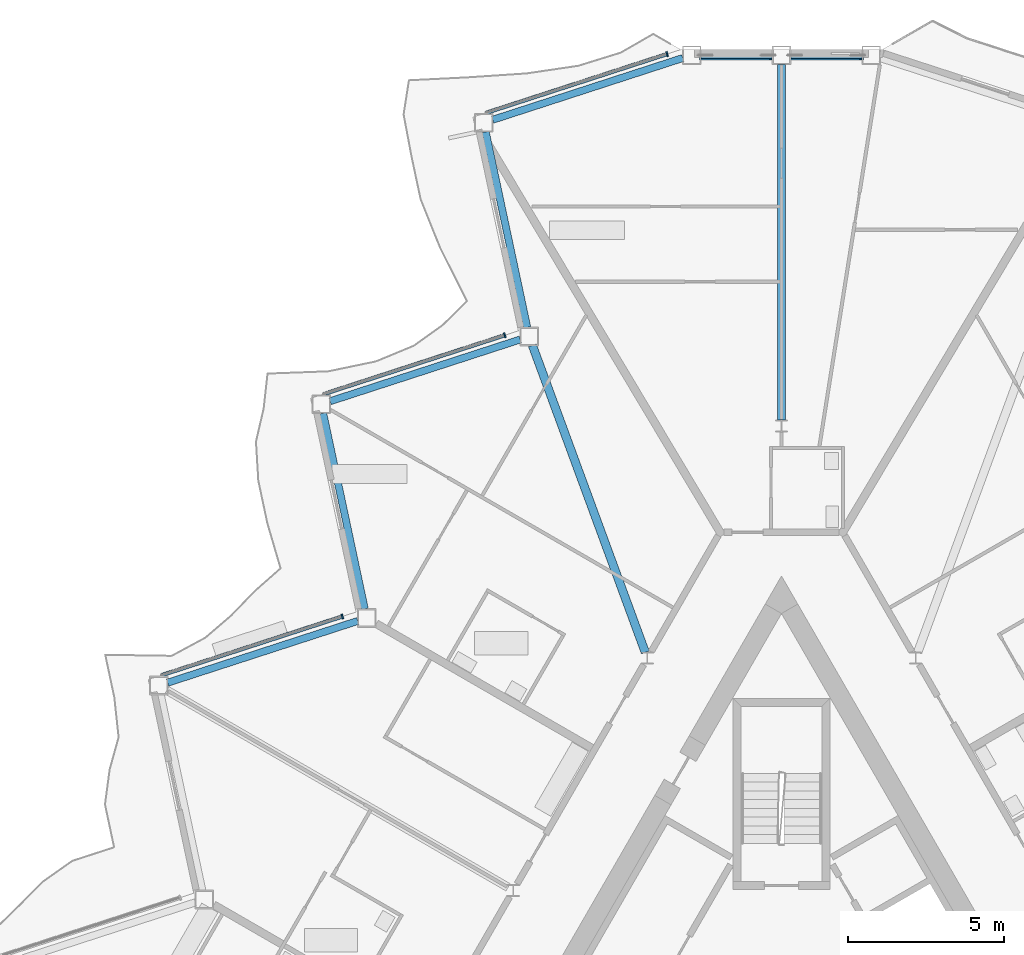
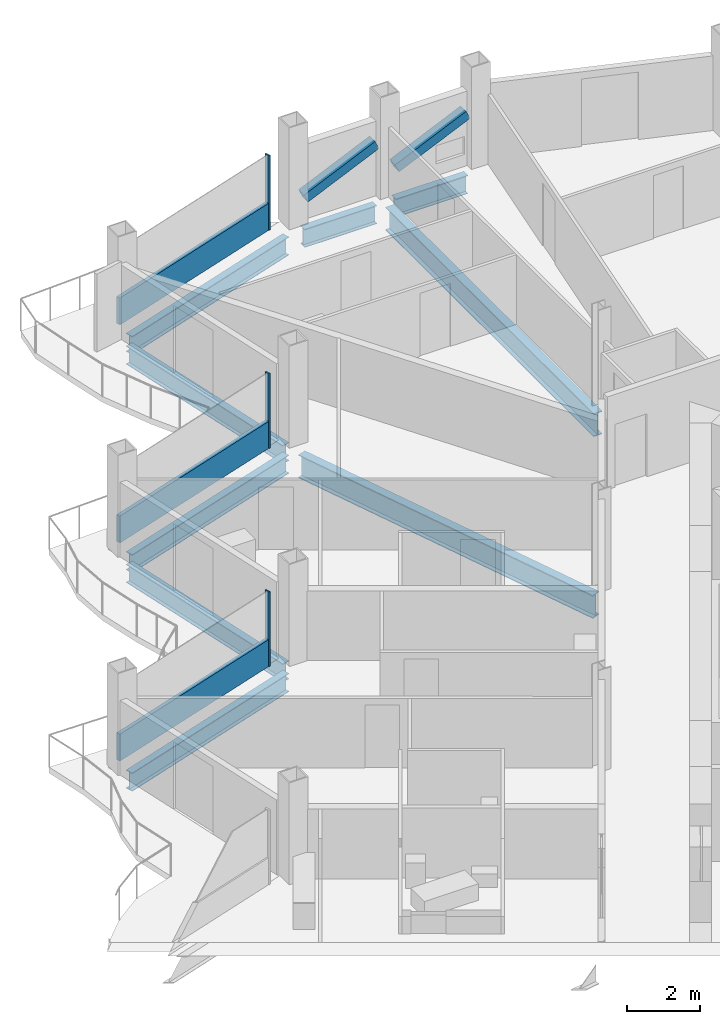
# One storey, part 10 of 26: 9 beams, 8 members, 3 elements without a shape of their own.
"""IFC4 building model written with IfcOpenShell, lengths in metres."""

from ifc_helpers import new_model, si_unit, direction, frame, origin, origin_2d, place, context, subcontext, project, spatial, rectangle, hollow_rectangle, i_section, extrude, material, layer, layer_set, material_profile, profile_set, type_object, element, aggregate, save


model = new_model("IFC4")

# Units and contexts
model_context = context("Model", 3, precision=1e-05, world=origin(), true_north=direction((0.0, 1.0)))
body_context = subcontext(model_context, "Body", "Model", "MODEL_VIEW")
ifc_project = project(units=[si_unit("LENGTHUNIT", "METRE"), si_unit("AREAUNIT", "SQUARE_METRE"), si_unit("VOLUMEUNIT", "CUBIC_METRE"), si_unit("PLANEANGLEUNIT", "RADIAN"), si_unit("MASSUNIT", "GRAM", prefix="KILO")], contexts=[model_context])

# Site, building, storey
site_placement = place(None, origin())
site = spatial("IfcSite", under=ifc_project, at=site_placement, CompositionType="ELEMENT")
building_placement = place(site_placement, origin())
building = spatial("IfcBuilding", under=site, at=building_placement, Name="Cormorant Prow Tower", CompositionType="ELEMENT")
storey_placement = place(building_placement, frame((0.0, 0.0, 329.0)))
storey = spatial("IfcBuildingStorey", under=building, at=storey_placement, Name="L73", CompositionType="ELEMENT", Elevation=329.0)

# Members
ifc_material_1 = material(Name="Structural steel ASTM A500 Gr C", Category="steel")
ifc_material_profile_1 = material_profile(ifc_material_1, hollow_rectangle(XDim=0.3046875, YDim=0.3046875, WallThickness=0.01171875, at=origin_2d()), Name="HSS12x12x1/2")
ifc_profile_set_1 = profile_set([ifc_material_profile_1], Name="Structural steel ASTM A500 Gr C")
member_type_1 = type_object("IfcMemberType", Name="Chamfer brace HSS12x12x1/2", PredefinedType="BRACE", material=ifc_profile_set_1)
for number, where, z_axis, x_axis, name in (
    (1, (0.31494140625, 31.676025390625, 0.7412109375), (0.91256681832, 0.0, 0.408927624528), (0.0, 1.0, 0.0), "Chamfer brace BR3 at N00 L73"),
    (2, (-2.55908203125, 31.676025390625, 0.7412109375), (0.91256681832, 0.0, 0.408927624528), (0.0, 1.0, 0.0), "Chamfer brace BR3 at N01 L73"),
):
    element("IfcMember", number, at=place(storey_placement, frame(where, z_axis=z_axis, x_axis=x_axis)), inside=storey, type_object=member_type_1, Name=name, PredefinedType="BRACE", context=body_context, shape_type="SweptSolid", body=[
        extrude(hollow_rectangle(XDim=0.3046875, YDim=0.3046875, WallThickness=0.01171875, at=origin_2d()), origin(), (0.0, 0.0, 1.0), 2.459228515625),
    ])

# Beams
ifc_material_2 = material(Name="Structural steel ASTM A992 Gr 50", Category="steel")
ifc_material_profile_2 = material_profile(ifc_material_2, i_section(OverallWidth=0.267822265625, OverallDepth=0.77001953125, WebThickness=0.015625, FlangeThickness=0.025390625, at=origin_2d()), Name="W30x132")
ifc_profile_set_2 = profile_set([ifc_material_profile_2], Name="Structural steel ASTM A992 Gr 50")
beam_type_1 = type_object("IfcBeamType", Name="Radial floor beam W30x132", PredefinedType="BEAM", material=ifc_profile_set_2)
beam_1_placement = place(storey_placement, frame((0.0, 20.0087890625, -0.68505859375), z_axis=(0.0, 1.0, 0.0), x_axis=(-1.0, 0.0, 0.0)))
element("IfcBeam", 3, at=beam_1_placement, inside=storey, type_object=beam_type_1, Name="Radial floor beam FB3 1 L73", PredefinedType="BEAM", context=body_context, shape_type="SweptSolid", body=[
    extrude(i_section(OverallWidth=0.267822265625, OverallDepth=0.77001953125, WebThickness=0.015625, FlangeThickness=0.025390625, at=origin_2d()), origin(), (0.0, 0.0, 1.0), 11.3671875),
])
beam_2_placement = place(storey_placement, frame((-4.357421875, 12.5673828125, -0.68505859375), z_axis=(-0.345131226703, 0.938554439739, 0.0), x_axis=(-0.938554439739, -0.345131226703, 0.0)))
element("IfcBeam", 4, at=beam_2_placement, inside=storey, type_object=beam_type_1, Name="Radial floor beam FB3 2 L73", PredefinedType="BEAM", context=body_context, shape_type="SweptSolid", body=[
    extrude(i_section(OverallWidth=0.267822265625, OverallDepth=0.77001953125, WebThickness=0.015625, FlangeThickness=0.025390625, at=origin_2d()), origin(), (0.0, 0.0, 1.0), 10.465087890625),
])

# Curtain wall, member
ifc_material_3 = material(Name="Aluminium 6063-T6", Category="aluminium")
ifc_layer = layer(ifc_material_3, 0.159912109375)
ifc_layer_set = layer_set([ifc_layer], Name="Aluminium 6063-T6")
curtain_wall_type = type_object("IfcCurtainWallType", Name="Residential unitised curtain wall 160", PredefinedType="NOTDEFINED", material=ifc_layer_set)
curtain_wall_1_placement = place(storey_placement, origin())
curtain_wall_1 = element("IfcCurtainWall", 5, at=curtain_wall_1_placement, inside=storey, type_object=curtain_wall_type, Name="Residential curtain wall WNW00", PredefinedType="NOTDEFINED")
ifc_material_4 = material(Name="Aluminium 6063-T6", Category="aluminium")
ifc_material_profile_3 = material_profile(ifc_material_4, rectangle(XDim=0.159912109375, YDim=0.050048828125, at=origin_2d()), Name="Residential mullion 50x160")
ifc_profile_set_3 = profile_set([ifc_material_profile_3], Name="Aluminium 6063-T6")
member_type_2 = type_object("IfcMemberType", Name="Residential mullion 50x160", PredefinedType="MULLION", material=ifc_profile_set_3)
member_1_placement = place(storey_placement, frame((-3.66015625, 31.7109375, 0.0), z_axis=(0.0, 0.0, 1.0), x_axis=(0.309016892523, -0.951056549389, 0.0)))
member_1 = element("IfcMember", 6, at=member_1_placement, type_object=member_type_2, Name="Residential mullion WNW00", PredefinedType="MULLION", context=body_context, shape_type="SweptSolid", body=[
    extrude(rectangle(XDim=0.159912109375, YDim=0.050048828125, at=origin_2d()), origin(), (0.0, 0.0, 1.0), 2.48779296875),
])

curtain_wall_2_placement = place(storey_placement, origin())
curtain_wall_2 = element("IfcCurtainWall", 7, at=curtain_wall_2_placement, inside=storey, type_object=curtain_wall_type, Name="Residential curtain wall WNW02", PredefinedType="NOTDEFINED")
member_2_placement = place(storey_placement, frame((-8.854736328125, 22.71337890625, 0.0), z_axis=(0.0, 0.0, 1.0), x_axis=(0.309016892523, -0.951056549389, 0.0)))
member_2 = element("IfcMember", 8, at=member_2_placement, type_object=member_type_2, Name="Residential mullion WNW02", PredefinedType="MULLION", context=body_context, shape_type="SweptSolid", body=[
    extrude(rectangle(XDim=0.159912109375, YDim=0.050048828125, at=origin_2d()), origin(), (0.0, 0.0, 1.0), 2.48779296875),
])

curtain_wall_3_placement = place(storey_placement, origin())
curtain_wall_3 = element("IfcCurtainWall", 9, at=curtain_wall_3_placement, inside=storey, type_object=curtain_wall_type, Name="Residential curtain wall WNW04", PredefinedType="NOTDEFINED")
member_3_placement = place(storey_placement, frame((-14.049560546875, 13.716064453125, 0.0), z_axis=(0.0, 0.0, 1.0), x_axis=(0.309017021913, -0.951056507348, 0.0)))
member_3 = element("IfcMember", 10, at=member_3_placement, type_object=member_type_2, Name="Residential mullion WNW04", PredefinedType="MULLION", context=body_context, shape_type="SweptSolid", body=[
    extrude(rectangle(XDim=0.159912109375, YDim=0.050048828125, at=origin_2d()), origin(), (0.0, 0.0, 1.0), 2.48779296875),
])

# Member
ifc_material_5 = material(Name="Terracotta", Category="masonry")
ifc_material_profile_4 = material_profile(ifc_material_5, rectangle(XDim=0.1201171875, YDim=0.89990234375, at=origin_2d()), Name="Residential terracotta spandrel rail 120x900")
ifc_profile_set_4 = profile_set([ifc_material_profile_4], Name="Terracotta")
member_type_3 = type_object("IfcMemberType", Name="Residential terracotta spandrel rail 120x900", PredefinedType="USERDEFINED", material=ifc_profile_set_4)
member_4_placement = place(storey_placement, frame((-3.683837890625, 31.703125, 0.449951171875), z_axis=(-0.951068041312, -0.30898152177, 0.0), x_axis=(0.30898152177, -0.951068041312, 0.0)))
member_4 = element("IfcMember", 11, at=member_4_placement, type_object=member_type_3, Name="Residential spandrel rail WNW00", ObjectType="TRANSOM", PredefinedType="USERDEFINED", context=body_context, shape_type="SweptSolid", body=[
    extrude(rectangle(XDim=0.1201171875, YDim=0.89990234375, at=origin_2d()), origin(), (0.0, 0.0, 1.0), 6.072265625),
])

aggregate(curtain_wall_1, [member_1, member_4])

member_5_placement = place(storey_placement, frame((-8.878662109375, 22.705810546875, 0.449951171875), z_axis=(-0.951052386284, -0.309029704954, 0.0), x_axis=(0.309029704954, -0.951052386284, 0.0)))
member_5 = element("IfcMember", 12, at=member_5_placement, type_object=member_type_3, Name="Residential spandrel rail WNW02", ObjectType="TRANSOM", PredefinedType="USERDEFINED", context=body_context, shape_type="SweptSolid", body=[
    extrude(rectangle(XDim=0.1201171875, YDim=0.89990234375, at=origin_2d()), origin(), (0.0, 0.0, 1.0), 6.072021484375),
])

aggregate(curtain_wall_2, [member_2, member_5])

member_6_placement = place(storey_placement, frame((-14.0732421875, 13.708251953125, 0.449951171875), z_axis=(-0.95105622579, -0.309017888456, 0.0), x_axis=(0.309017888456, -0.95105622579, 0.0)))
member_6 = element("IfcMember", 13, at=member_6_placement, type_object=member_type_3, Name="Residential spandrel rail WNW04", ObjectType="TRANSOM", PredefinedType="USERDEFINED", context=body_context, shape_type="SweptSolid", body=[
    extrude(rectangle(XDim=0.1201171875, YDim=0.89990234375, at=origin_2d()), origin(), (0.0, 0.0, 1.0), 6.072265625),
])

aggregate(curtain_wall_3, [member_3, member_6])

# Beams
ifc_material_6 = material(Name="Structural steel ASTM A992 Gr 50", Category="steel")
ifc_material_profile_5 = material_profile(ifc_material_6, i_section(OverallWidth=0.22900390625, OverallDepth=0.612060546875, WebThickness=0.011962890625, FlangeThickness=0.01953125, at=origin_2d()), Name="W24x84")
ifc_profile_set_5 = profile_set([ifc_material_profile_5], Name="Structural steel ASTM A992 Gr 50")
beam_type_2 = type_object("IfcBeamType", Name="Spandrel beam W24x84", PredefinedType="SPANDREL", material=ifc_profile_set_5)
for number, where, z_axis, x_axis, name in (
    (14, (2.57373046875, 31.676025390625, -0.60595703125), (-1.0, 0.0, 0.0), (0.0, -1.0, 0.0), "Spandrel beam SB3 N00-N01 L73"),
    (15, (-0.300048828125, 31.676025390625, -0.60595703125), (-1.0, 0.0, 0.0), (0.0, -1.0, 0.0), "Spandrel beam SB3 N01-WNW00 L73"),
):
    element("IfcBeam", number, at=place(storey_placement, frame(where, z_axis=z_axis, x_axis=x_axis)), inside=storey, type_object=beam_type_2, Name=name, PredefinedType="SPANDREL", context=body_context, shape_type="SweptSolid", body=[
        extrude(i_section(OverallWidth=0.22900390625, OverallDepth=0.612060546875, WebThickness=0.011962890625, FlangeThickness=0.01953125, at=origin_2d()), origin(), (0.0, 0.0, 1.0), 2.273681640625),
    ])
beam_3_placement = place(storey_placement, frame((-3.1591796875, 31.583251953125, -0.60595703125), z_axis=(-0.951064359156, -0.308992855489, 0.0), x_axis=(0.308992855489, -0.951064359156, 0.0)))
element("IfcBeam", 16, at=beam_3_placement, inside=storey, type_object=beam_type_2, Name="Spandrel beam SB3 WNW00-WNW01 L73", PredefinedType="SPANDREL", context=body_context, shape_type="SweptSolid", body=[
    extrude(i_section(OverallWidth=0.22900390625, OverallDepth=0.612060546875, WebThickness=0.011962890625, FlangeThickness=0.01953125, at=origin_2d()), origin(), (0.0, 0.0, 1.0), 6.39599609375),
])
beam_4_placement = place(storey_placement, frame((-9.465087890625, 29.220703125, -0.60595703125), z_axis=(0.20791262393, -0.978147402394, 0.0), x_axis=(0.978147402394, 0.20791262393, 0.0)))
element("IfcBeam", 17, at=beam_4_placement, inside=storey, type_object=beam_type_2, Name="Spandrel beam SB3 WNW01-WNW02 L73", PredefinedType="SPANDREL", context=body_context, shape_type="SweptSolid", body=[
    extrude(i_section(OverallWidth=0.22900390625, OverallDepth=0.612060546875, WebThickness=0.011962890625, FlangeThickness=0.01953125, at=origin_2d()), origin(), (0.0, 0.0, 1.0), 6.396240234375),
])
for number, where, z_axis, x_axis, name in (
    (18, (-8.358154296875, 22.578369140625, -0.60595703125), (-0.95105314132, -0.309027381286, 0.0), (0.309027381286, -0.95105314132, 0.0), "Spandrel beam SB3 WNW02-WNW03 L73"),
    (19, (-14.6640625, 20.215576171875, -0.60595703125), (0.207920386839, -0.978145752297, 0.0), (0.978145752297, 0.207920386839, 0.0), "Spandrel beam SB3 WNW03-WNW04 L73"),
    (20, (-13.557373046875, 13.5732421875, -0.60595703125), (-0.95105314132, -0.309027381286, 0.0), (0.309027381286, -0.95105314132, 0.0), "Spandrel beam SB3 WNW04-WNW05 L73"),
):
    element("IfcBeam", number, at=place(storey_placement, frame(where, z_axis=z_axis, x_axis=x_axis)), inside=storey, type_object=beam_type_2, Name=name, PredefinedType="SPANDREL", context=body_context, shape_type="SweptSolid", body=[
        extrude(i_section(OverallWidth=0.22900390625, OverallDepth=0.612060546875, WebThickness=0.011962890625, FlangeThickness=0.01953125, at=origin_2d()), origin(), (0.0, 0.0, 1.0), 6.39599609375),
    ])

save(model, "model.ifc")
